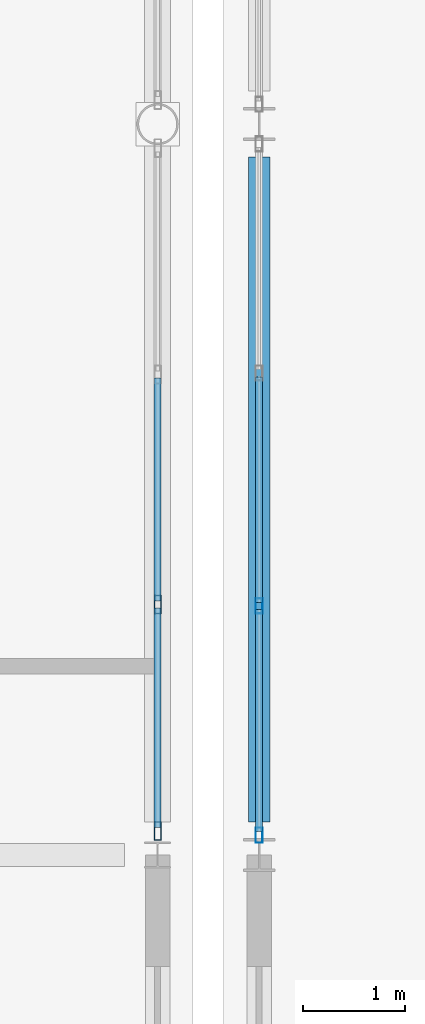
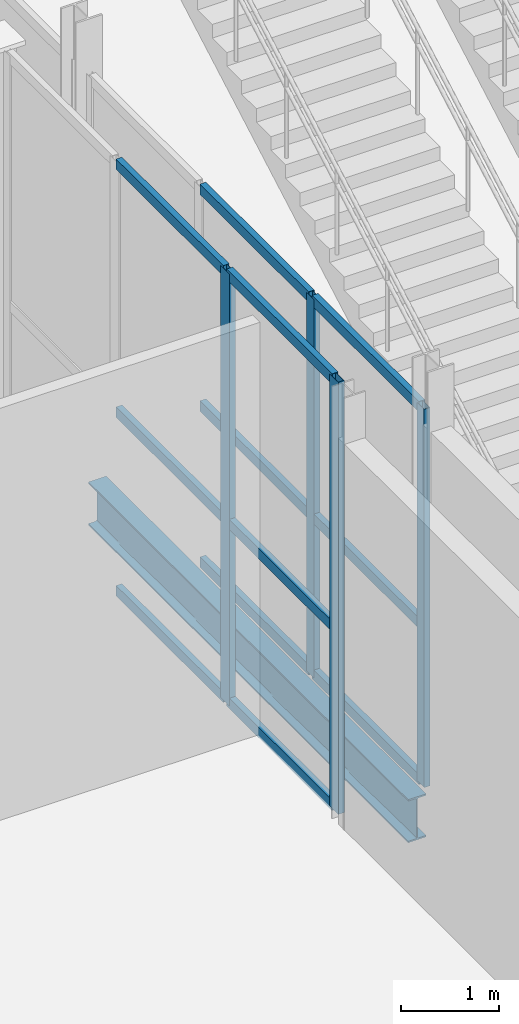
# One storey, part 43 of 83: 16 members, 1 beam, 2 elements without a shape of their own.
"""IFC4 building model written with IfcOpenShell, lengths in metres."""

from ifc_helpers import new_model, si_unit, direction, frame, origin, origin_2d, place, context, subcontext, project, spatial, hollow_rectangle, i_section, extrude, material, layer, layer_set, material_profile, profile_set, type_object, element, aggregate, save


model = new_model("IFC4")

# Units and contexts
model_context = context("Model", 3, precision=1e-05, world=origin(), true_north=direction((0.0, 1.0)))
body_context = subcontext(model_context, "Body", "Model", "MODEL_VIEW")
ifc_project = project(units=[si_unit("LENGTHUNIT", "METRE"), si_unit("AREAUNIT", "SQUARE_METRE"), si_unit("VOLUMEUNIT", "CUBIC_METRE"), si_unit("PLANEANGLEUNIT", "RADIAN"), si_unit("MASSUNIT", "GRAM", prefix="KILO")], contexts=[model_context])

# Site, building, storey
site_placement = place(None, origin())
site = spatial("IfcSite", under=ifc_project, at=site_placement, CompositionType="ELEMENT")
building_placement = place(site_placement, origin())
building = spatial("IfcBuilding", under=site, at=building_placement, Name="Quillay Park Conservatory", CompositionType="ELEMENT")
storey_placement = place(building_placement, origin())
storey = spatial("IfcBuildingStorey", under=building, at=storey_placement, Name="L00", CompositionType="ELEMENT", Elevation=0.0)

# Curtain wall, members
ifc_material_1 = material(Name="Thermally Broken Anodised Aluminium 6063-T6", Category="aluminium")
ifc_layer_1 = layer(ifc_material_1, 0.1650390625)
ifc_layer_set_1 = layer_set([ifc_layer_1], Name="UNITISED CURTAIN WALL PODIUM (Thermally Broken Anodised Aluminium 6063-T6)")
curtain_wall_type_1 = type_object("IfcCurtainWallType", Name="UNITISED CURTAIN WALL PODIUM", PredefinedType="USERDEFINED", material=ifc_layer_set_1)
curtain_wall_1_placement = place(storey_placement, origin())
curtain_wall_1 = element("IfcCurtainWall", 1, at=curtain_wall_1_placement, inside=storey, type_object=curtain_wall_type_1, Name="L00 Unitised Curtain Wall 223", ObjectType="UNITISED CURTAIN WALL", PredefinedType="USERDEFINED")
ifc_material_2 = material(Name="Thermally Broken Anodised Aluminium 6063-T6", Category="aluminium")
ifc_material_profile_1 = material_profile(ifc_material_2, hollow_rectangle(XDim=0.070068359375, YDim=0.14990234375, WallThickness=0.00341796875, at=origin_2d()), Name="AL70x150x3.5")
ifc_profile_set_1 = profile_set([ifc_material_profile_1], Name="Thermally Broken Anodised Aluminium 6063-T6")
member_type_1 = type_object("IfcMemberType", Name="CURTAIN WALL MULLION 70 X150", PredefinedType="MULLION", material=ifc_profile_set_1)
member_1_placement = place(storey_placement, frame((115.85009765625, 92.594970703125, 0.0), z_axis=(0.0, 0.0, 1.0), x_axis=(-1.0, 0.0, 0.0)))
member_1 = element("IfcMember", 2, at=member_1_placement, type_object=member_type_1, Name="CW-P1 mullion 1", PredefinedType="MULLION", context=body_context, shape_type="SweptSolid", body=[
    extrude(hollow_rectangle(XDim=0.070068359375, YDim=0.14990234375, WallThickness=0.00341796875, at=origin_2d()), origin(), (0.0, 0.0, 1.0), 4.72900390625),
])
member_2_placement = place(storey_placement, frame((115.85009765625, 94.853271484375, 0.0), z_axis=(0.0, 0.0, 1.0), x_axis=(-1.0, 0.0, 0.0)))
member_2 = element("IfcMember", 3, at=member_2_placement, type_object=member_type_1, Name="CW-P1 mullion 2", PredefinedType="MULLION", context=body_context, shape_type="SweptSolid", body=[
    extrude(hollow_rectangle(XDim=0.070068359375, YDim=0.14990234375, WallThickness=0.00341796875, at=origin_2d()), origin(), (0.0, 0.0, 1.0), 4.72900390625),
])

ifc_material_3 = material(Name="Thermally Broken Anodised Aluminium 6063-T6", Category="aluminium")
ifc_layer_2 = layer(ifc_material_3, 0.219970703125)
ifc_layer_set_2 = layer_set([ifc_layer_2], Name="UNITISED CURTAIN WALL CONSERVATORY (Thermally Broken Anodised Aluminium 6063-T6)")
curtain_wall_type_2 = type_object("IfcCurtainWallType", Name="UNITISED CURTAIN WALL CONSERVATORY", PredefinedType="USERDEFINED", material=ifc_layer_set_2)
curtain_wall_2_placement = place(storey_placement, origin())
curtain_wall_2 = element("IfcCurtainWall", 4, at=curtain_wall_2_placement, inside=storey, type_object=curtain_wall_type_2, Name="L00 Unitised Curtain Wall 165", ObjectType="UNITISED CURTAIN WALL", PredefinedType="USERDEFINED")
ifc_material_4 = material(Name="Thermally Broken Anodised Aluminium 6063-T6", Category="aluminium")
ifc_material_profile_2 = material_profile(ifc_material_4, hollow_rectangle(XDim=0.070068359375, YDim=0.179931640625, WallThickness=0.00390625, at=origin_2d()), Name="AL70x180x4")
ifc_profile_set_2 = profile_set([ifc_material_profile_2], Name="Thermally Broken Anodised Aluminium 6063-T6")
member_type_2 = type_object("IfcMemberType", Name="CURTAIN WALL MULLION 70 X180", PredefinedType="MULLION", material=ifc_profile_set_2)
member_3_placement = place(storey_placement, frame((114.85009765625, 94.867431640625, 0.0), z_axis=(0.0, 0.0, 1.0), x_axis=(1.0, 0.0, 0.0)))
member_3 = element("IfcMember", 5, at=member_3_placement, type_object=member_type_2, Name="CW-C1 mullion 3", PredefinedType="MULLION", context=body_context, shape_type="SweptSolid", body=[
    extrude(hollow_rectangle(XDim=0.070068359375, YDim=0.179931640625, WallThickness=0.00390625, at=origin_2d()), origin(), (0.0, 0.0, 1.0), 5.39990234375),
])
member_4_placement = place(storey_placement, frame((114.85009765625, 92.636962890625, 0.0), z_axis=(0.0, 0.0, 1.0), x_axis=(1.0, 0.0, 0.0)))
member_4 = element("IfcMember", 6, at=member_4_placement, type_object=member_type_2, Name="CW-C1 mullion 4", PredefinedType="MULLION", context=body_context, shape_type="SweptSolid", body=[
    extrude(hollow_rectangle(XDim=0.070068359375, YDim=0.179931640625, WallThickness=0.00390625, at=origin_2d()), origin(), (0.0, 0.0, 1.0), 5.39990234375),
])
ifc_material_5 = material(Name="Thermally Broken Anodised Aluminium 6063-T6", Category="aluminium")
ifc_material_profile_3 = material_profile(ifc_material_5, hollow_rectangle(XDim=0.070068359375, YDim=0.1298828125, WallThickness=0.003173828125, at=origin_2d()), Name="AL70x130x3.2")
ifc_profile_set_3 = profile_set([ifc_material_profile_3], Name="Thermally Broken Anodised Aluminium 6063-T6")
member_type_3 = type_object("IfcMemberType", Name="CURTAIN WALL TRANSOM 70 X130", PredefinedType="USERDEFINED", material=ifc_profile_set_3)
member_5_placement = place(storey_placement, frame((114.85009765625, 97.09765625, 0.034912109375), z_axis=(0.0, -1.0, 0.0), x_axis=(1.0, 0.0, 0.0)))
member_5 = element("IfcMember", 7, at=member_5_placement, type_object=member_type_3, Name="CW-C1 transom 2.1", ObjectType="TRANSOM", PredefinedType="USERDEFINED", context=body_context, shape_type="SweptSolid", body=[
    extrude(hollow_rectangle(XDim=0.070068359375, YDim=0.1298828125, WallThickness=0.003173828125, at=origin_2d()), origin(), (0.0, 0.0, 1.0), 2.1953125),
])
member_6_placement = place(storey_placement, frame((114.85009765625, 97.09765625, 2.26806640625), z_axis=(0.0, -1.0, 0.0), x_axis=(1.0, 0.0, 0.0)))
member_6 = element("IfcMember", 8, at=member_6_placement, type_object=member_type_3, Name="CW-C1 transom 2.2", ObjectType="TRANSOM", PredefinedType="USERDEFINED", context=body_context, shape_type="SweptSolid", body=[
    extrude(hollow_rectangle(XDim=0.070068359375, YDim=0.1298828125, WallThickness=0.003173828125, at=origin_2d()), origin(), (0.0, 0.0, 1.0), 2.1953125),
])
member_7_placement = place(storey_placement, frame((114.85009765625, 97.09765625, 5.364990234375), z_axis=(0.0, -1.0, 0.0), x_axis=(1.0, 0.0, 0.0)))
member_7 = element("IfcMember", 9, at=member_7_placement, type_object=member_type_3, Name="CW-C1 transom 2.3", ObjectType="TRANSOM", PredefinedType="USERDEFINED", context=body_context, shape_type="SweptSolid", body=[
    extrude(hollow_rectangle(XDim=0.070068359375, YDim=0.1298828125, WallThickness=0.003173828125, at=origin_2d()), origin(), (0.0, 0.0, 1.0), 2.1953125),
])
member_8_placement = place(storey_placement, frame((114.85009765625, 94.832275390625, 0.034912109375), z_axis=(0.0, -1.0, 0.0), x_axis=(1.0, 0.0, 0.0)))
member_8 = element("IfcMember", 10, at=member_8_placement, type_object=member_type_3, Name="CW-C1 transom 3.1", ObjectType="TRANSOM", PredefinedType="USERDEFINED", context=body_context, shape_type="SweptSolid", body=[
    extrude(hollow_rectangle(XDim=0.070068359375, YDim=0.1298828125, WallThickness=0.003173828125, at=origin_2d()), origin(), (0.0, 0.0, 1.0), 2.16015625),
])
member_9_placement = place(storey_placement, frame((114.85009765625, 94.832275390625, 2.26806640625), z_axis=(0.0, -1.0, 0.0), x_axis=(1.0, 0.0, 0.0)))
member_9 = element("IfcMember", 11, at=member_9_placement, type_object=member_type_3, Name="CW-C1 transom 3.2", ObjectType="TRANSOM", PredefinedType="USERDEFINED", context=body_context, shape_type="SweptSolid", body=[
    extrude(hollow_rectangle(XDim=0.070068359375, YDim=0.1298828125, WallThickness=0.003173828125, at=origin_2d()), origin(), (0.0, 0.0, 1.0), 2.16015625),
])
member_10_placement = place(storey_placement, frame((114.85009765625, 94.832275390625, 5.364990234375), z_axis=(0.0, -1.0, 0.0), x_axis=(1.0, 0.0, 0.0)))
member_10 = element("IfcMember", 12, at=member_10_placement, type_object=member_type_3, Name="CW-C1 transom 3.3", ObjectType="TRANSOM", PredefinedType="USERDEFINED", context=body_context, shape_type="SweptSolid", body=[
    extrude(hollow_rectangle(XDim=0.070068359375, YDim=0.1298828125, WallThickness=0.003173828125, at=origin_2d()), origin(), (0.0, 0.0, 1.0), 2.16015625),
])
aggregate(curtain_wall_2, [member_3, member_4, member_5, member_6, member_7, member_8, member_9, member_10])

# Member
member_11_placement = place(storey_placement, frame((115.85009765625, 92.6298828125, 0.034912109375), z_axis=(0.0, 1.0, 0.0), x_axis=(-1.0, 0.0, 0.0)))
member_11 = element("IfcMember", 13, at=member_11_placement, type_object=member_type_3, Name="CW-P1 transom 1.1", ObjectType="TRANSOM", PredefinedType="USERDEFINED", context=body_context, shape_type="SweptSolid", body=[
    extrude(hollow_rectangle(XDim=0.070068359375, YDim=0.1298828125, WallThickness=0.003173828125, at=origin_2d()), origin(), (0.0, 0.0, 1.0), 2.1884765625),
])

member_12_placement = place(storey_placement, frame((115.85009765625, 92.6298828125, 1.986083984375), z_axis=(0.0, 1.0, 0.0), x_axis=(-1.0, 0.0, 0.0)))
member_12 = element("IfcMember", 14, at=member_12_placement, type_object=member_type_3, Name="CW-P1 transom 1.2", ObjectType="TRANSOM", PredefinedType="USERDEFINED", context=body_context, shape_type="SweptSolid", body=[
    extrude(hollow_rectangle(XDim=0.070068359375, YDim=0.1298828125, WallThickness=0.003173828125, at=origin_2d()), origin(), (0.0, 0.0, 1.0), 2.1884765625),
])

member_13_placement = place(storey_placement, frame((115.85009765625, 92.6298828125, 4.694091796875), z_axis=(0.0, 1.0, 0.0), x_axis=(-1.0, 0.0, 0.0)))
member_13 = element("IfcMember", 15, at=member_13_placement, type_object=member_type_3, Name="CW-P1 transom 1.3", ObjectType="TRANSOM", PredefinedType="USERDEFINED", context=body_context, shape_type="SweptSolid", body=[
    extrude(hollow_rectangle(XDim=0.070068359375, YDim=0.1298828125, WallThickness=0.003173828125, at=origin_2d()), origin(), (0.0, 0.0, 1.0), 2.1884765625),
])

member_14_placement = place(storey_placement, frame((115.85009765625, 94.888427734375, 0.034912109375), z_axis=(0.0, 1.0, 0.0), x_axis=(-1.0, 0.0, 0.0)))
member_14 = element("IfcMember", 16, at=member_14_placement, type_object=member_type_3, Name="CW-P1 transom 2.1", ObjectType="TRANSOM", PredefinedType="USERDEFINED", context=body_context, shape_type="SweptSolid", body=[
    extrude(hollow_rectangle(XDim=0.070068359375, YDim=0.1298828125, WallThickness=0.003173828125, at=origin_2d()), origin(), (0.0, 0.0, 1.0), 2.22314453125),
])

member_15_placement = place(storey_placement, frame((115.85009765625, 94.888427734375, 1.986083984375), z_axis=(0.0, 1.0, 0.0), x_axis=(-1.0, 0.0, 0.0)))
member_15 = element("IfcMember", 17, at=member_15_placement, type_object=member_type_3, Name="CW-P1 transom 2.2", ObjectType="TRANSOM", PredefinedType="USERDEFINED", context=body_context, shape_type="SweptSolid", body=[
    extrude(hollow_rectangle(XDim=0.070068359375, YDim=0.1298828125, WallThickness=0.003173828125, at=origin_2d()), origin(), (0.0, 0.0, 1.0), 2.22314453125),
])

member_16_placement = place(storey_placement, frame((115.85009765625, 94.888427734375, 4.694091796875), z_axis=(0.0, 1.0, 0.0), x_axis=(-1.0, 0.0, 0.0)))
member_16 = element("IfcMember", 18, at=member_16_placement, type_object=member_type_3, Name="CW-P1 transom 2.3", ObjectType="TRANSOM", PredefinedType="USERDEFINED", context=body_context, shape_type="SweptSolid", body=[
    extrude(hollow_rectangle(XDim=0.070068359375, YDim=0.1298828125, WallThickness=0.003173828125, at=origin_2d()), origin(), (0.0, 0.0, 1.0), 2.22314453125),
])

aggregate(curtain_wall_1, [member_1, member_2, member_11, member_12, member_13, member_14, member_15, member_16])

# Beam
ifc_material_6 = material(Name="Steel ASTM A992 Grade 50", Category="steel")
ifc_material_profile_4 = material_profile(ifc_material_6, i_section(OverallWidth=0.2109375, OverallDepth=0.5390625, WebThickness=0.01171875, FlangeThickness=0.018798828125, FilletRadius=0.013916015625, at=origin_2d()), Name="W530x109")
ifc_profile_set_4 = profile_set([ifc_material_profile_4], Name="Steel ASTM A992 Grade 50")
beam_type = type_object("IfcBeamType", Name="PRIMARY FLOOR GIRDER W530 X109", PredefinedType="BEAM", material=ifc_profile_set_4)
beam_placement = place(storey_placement, frame((115.85009765625, 92.72509765625, -0.51953125), z_axis=(0.0, 1.0, 0.0), x_axis=(-1.0, 0.0, 0.0)))
element("IfcBeam", 19, at=beam_placement, inside=storey, type_object=beam_type, Name="L00 beam BM-V2Y-1681", PredefinedType="BEAM", context=body_context, shape_type="SweptSolid", body=[
    extrude(i_section(OverallWidth=0.2109375, OverallDepth=0.5390625, WebThickness=0.01171875, FlangeThickness=0.018798828125, FilletRadius=0.013916015625, at=origin_2d()), origin(), (0.0, 0.0, 1.0), 6.5498046875),
])

save(model, "model.ifc")
